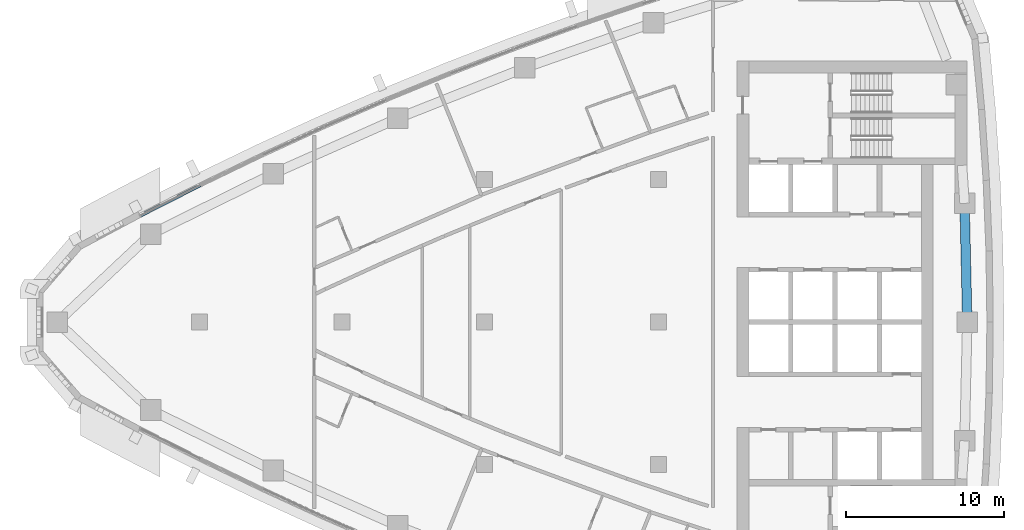
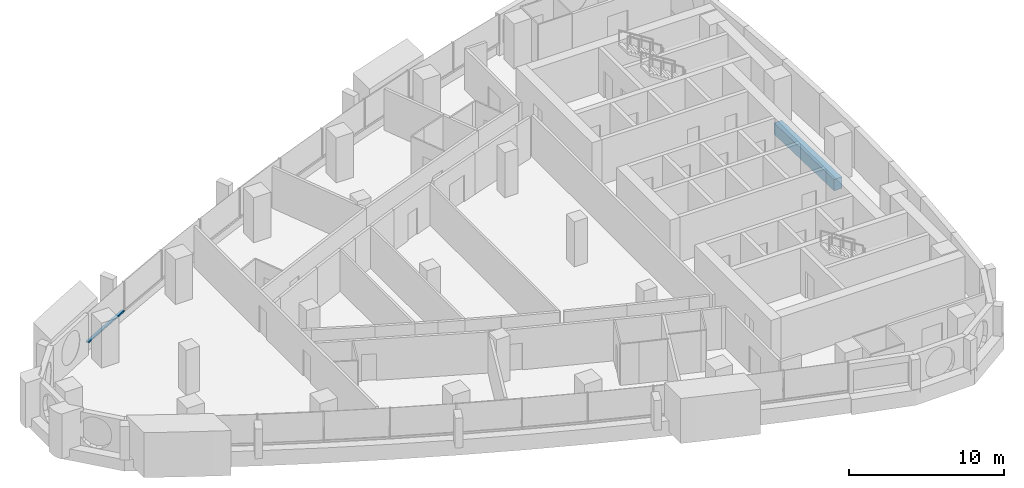
# One storey, part 5 of 16: 1 beam, 1 member, 1 element without a shape of its own.
"""IFC4 building model written with IfcOpenShell, lengths in metres."""

from ifc_helpers import new_model, si_unit, direction, frame, origin, origin_2d, place, context, subcontext, project, spatial, rectangle, extrude, material, layer, layer_set, material_profile, profile_set, type_object, element, aggregate, save


model = new_model("IFC4")

# Units and contexts
model_context = context("Model", 3, precision=1e-05, world=origin(), true_north=direction((0.0, 1.0)))
body_context = subcontext(model_context, "Body", "Model", "MODEL_VIEW")
ifc_project = project(units=[si_unit("LENGTHUNIT", "METRE"), si_unit("AREAUNIT", "SQUARE_METRE"), si_unit("VOLUMEUNIT", "CUBIC_METRE"), si_unit("PLANEANGLEUNIT", "RADIAN"), si_unit("MASSUNIT", "GRAM", prefix="KILO")], contexts=[model_context])

# Site, building, storey
site_placement = place(None, origin())
site = spatial("IfcSite", under=ifc_project, at=site_placement, CompositionType="ELEMENT")
building_placement = place(site_placement, origin())
building = spatial("IfcBuilding", under=site, at=building_placement, Name="Ostrand Prow Hotel Tower", CompositionType="ELEMENT")
storey_placement = place(building_placement, frame((0.0, 0.0, 189.699951171875)))
storey = spatial("IfcBuildingStorey", under=building, at=storey_placement, Name="L47", CompositionType="ELEMENT", Elevation=189.699951171875)

# Beam
ifc_material_1 = material(Name="Concrete C60/75", Category="concrete")
ifc_material_profile_1 = material_profile(ifc_material_1, rectangle(XDim=0.60009765625, YDim=0.89990234375, at=origin_2d()), Name="RC 600x900")
ifc_profile_set_1 = profile_set([ifc_material_profile_1], Name="Concrete C60/75")
beam_type = type_object("IfcBeamType", Name="Edge beam 600x900 C60/75", PredefinedType="SPANDREL", material=ifc_profile_set_1)
beam_placement = place(storey_placement, frame((64.5, 0.0, -0.75), z_axis=(-0.022620118241, 0.999744132391, 0.0), x_axis=(-0.999744132391, -0.022620118241, 0.0)))
element("IfcBeam", 1, at=beam_placement, inside=storey, type_object=beam_type, Name="Edge beam B3-B4", PredefinedType="SPANDREL", context=body_context, shape_type="SweptSolid", body=[
    extrude(rectangle(XDim=0.60009765625, YDim=0.89990234375, at=origin_2d()), origin(), (0.0, 0.0, 1.0), 7.501220703125),
])

# Curtain wall, member
ifc_material_2 = material(Name="Insulated glass in bronze anodised frame", Category="glass")
ifc_layer = layer(ifc_material_2, 0.199951171875)
ifc_layer_set = layer_set([ifc_layer], Name="Insulated glass in bronze anodised frame")
curtain_wall_type = type_object("IfcCurtainWallType", Name="Strip curtain wall, fritted glass over bronze spandrel", PredefinedType="NOTDEFINED", material=ifc_layer_set)
curtain_wall_placement = place(storey_placement, origin())
curtain_wall = element("IfcCurtainWall", 2, at=curtain_wall_placement, inside=storey, type_object=curtain_wall_type, Name="CW1 run CWN5", PredefinedType="NOTDEFINED")
ifc_material_3 = material(Name="Bronze anodised aluminium", Category="aluminium")
ifc_material_profile_2 = material_profile(ifc_material_3, rectangle(XDim=0.199951171875, YDim=0.1201171875, at=origin_2d()), Name="Transom 120x200 bronze anodised aluminium")
ifc_profile_set_2 = profile_set([ifc_material_profile_2], Name="Bronze anodised aluminium")
member_type = type_object("IfcMemberType", Name="Transom 120x200 bronze anodised aluminium", PredefinedType="USERDEFINED", material=ifc_profile_set_2)
member_placement = place(storey_placement, frame((16.06787109375, 8.6474609375, 0.9599609375), z_axis=(-0.891672840777, -0.452680400526, 0.0), x_axis=(0.452680400526, -0.891672840777, 0.0)))
member = element("IfcMember", 3, at=member_placement, type_object=member_type, Name="CW1 transom 2.1", ObjectType="TRANSOM", PredefinedType="USERDEFINED", context=body_context, shape_type="SweptSolid", body=[
    extrude(rectangle(XDim=0.199951171875, YDim=0.1201171875, at=origin_2d()), origin(), (0.0, 0.0, 1.0), 4.2451171875),
])
aggregate(curtain_wall, [member])

save(model, "model.ifc")
